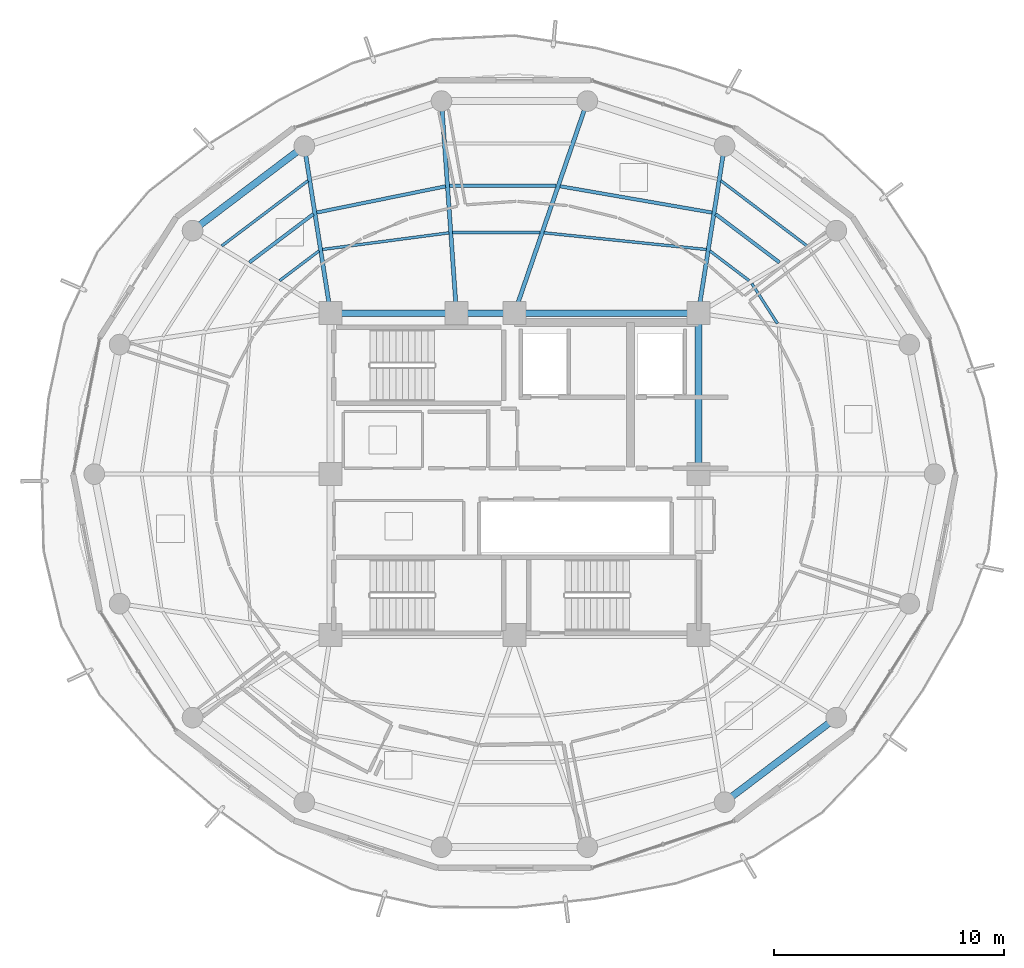
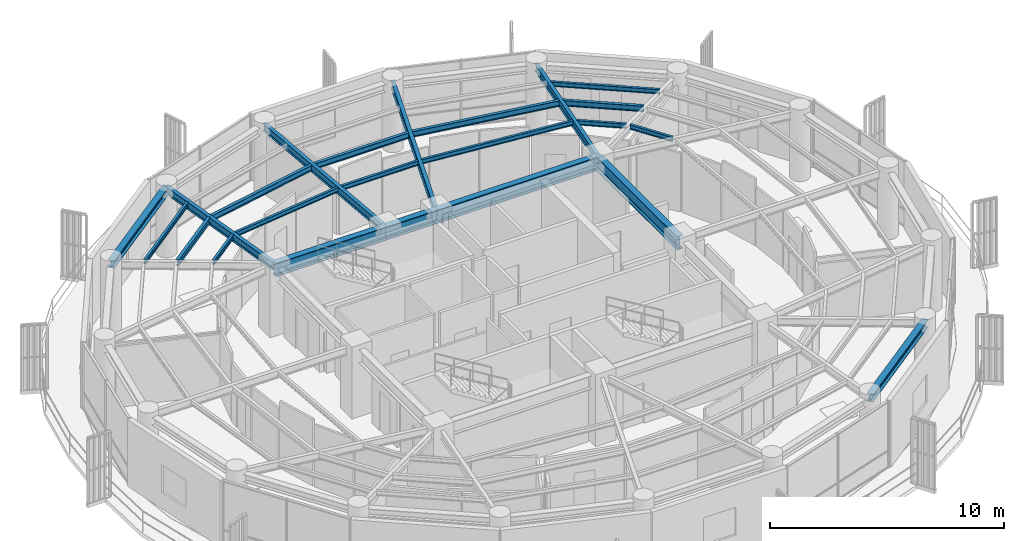
# One storey, part 9 of 23: 23 beams.
"""IFC4 building model written with IfcOpenShell, lengths in metres."""

from ifc_helpers import new_model, si_unit, direction, frame, origin, origin_2d, place, context, subcontext, project, spatial, i_section, extrude, material, material_profile, profile_set, type_object, element, save


model = new_model("IFC4")

# Units and contexts
model_context = context("Model", 3, precision=1e-05, world=origin(), true_north=direction((0.0, 1.0)))
body_context = subcontext(model_context, "Body", "Model", "MODEL_VIEW")
ifc_project = project(units=[si_unit("LENGTHUNIT", "METRE"), si_unit("AREAUNIT", "SQUARE_METRE"), si_unit("VOLUMEUNIT", "CUBIC_METRE"), si_unit("PLANEANGLEUNIT", "RADIAN"), si_unit("MASSUNIT", "GRAM", prefix="KILO")], contexts=[model_context])

# Site, building, storey
site_placement = place(None, origin())
site = spatial("IfcSite", under=ifc_project, at=site_placement, CompositionType="ELEMENT")
building_placement = place(site_placement, origin())
building = spatial("IfcBuilding", under=site, at=building_placement, Name="Kelanora Arch Commons", CompositionType="ELEMENT")
storey_placement = place(building_placement, frame((0.0, 0.0, 282.449951171875)))
storey = spatial("IfcBuildingStorey", under=building, at=storey_placement, Name="L72", CompositionType="ELEMENT", Elevation=282.449951171875)

# Beams
ifc_material = material(Name="Steel S355", Category="steel")
ifc_material_profile_1 = material_profile(ifc_material, i_section(OverallWidth=0.300048828125, OverallDepth=0.699951171875, WebThickness=0.01708984375, FlangeThickness=0.031982421875, FilletRadius=0.027099609375, at=origin_2d()), Name="HEB700")
ifc_profile_set_1 = profile_set([ifc_material_profile_1], Name="Steel S355")
beam_type_1 = type_object("IfcBeamType", Name="BM-CORE-HDR", PredefinedType="BEAM", material=ifc_profile_set_1)
beam_1_placement = place(storey_placement, frame((82.0, 58.0, 3.14013671875), z_axis=(0.0, 1.0, 0.0), x_axis=(-1.0, 0.0, 0.0)))
element("IfcBeam", 1, at=beam_1_placement, inside=storey, type_object=beam_type_1, Name="Core Header Beam 04 L72", PredefinedType="BEAM", context=body_context, shape_type="SweptSolid", body=[
    extrude(i_section(OverallWidth=0.300048828125, OverallDepth=0.699951171875, WebThickness=0.01708984375, FlangeThickness=0.031982421875, FilletRadius=0.027099609375, at=origin_2d()), origin(), (0.0, 0.0, 1.0), 7.0),
])
beam_2_placement = place(storey_placement, frame((82.0, 65.0, 3.14013671875), z_axis=(-1.0, 0.0, 0.0), x_axis=(0.0, -1.0, 0.0)))
element("IfcBeam", 2, at=beam_2_placement, inside=storey, type_object=beam_type_1, Name="Core Header Beam 05 L72", PredefinedType="BEAM", context=body_context, shape_type="SweptSolid", body=[
    extrude(i_section(OverallWidth=0.300048828125, OverallDepth=0.699951171875, WebThickness=0.01708984375, FlangeThickness=0.031982421875, FilletRadius=0.027099609375, at=origin_2d()), origin(), (0.0, 0.0, 1.0), 8.0),
])
beam_3_placement = place(storey_placement, frame((74.0, 65.0, 3.14013671875), z_axis=(-1.0, 0.0, 0.0), x_axis=(0.0, -1.0, 0.0)))
element("IfcBeam", 3, at=beam_3_placement, inside=storey, type_object=beam_type_1, Name="Core Header Beam 06 L72", PredefinedType="BEAM", context=body_context, shape_type="SweptSolid", body=[
    extrude(i_section(OverallWidth=0.300048828125, OverallDepth=0.699951171875, WebThickness=0.01708984375, FlangeThickness=0.031982421875, FilletRadius=0.027099609375, at=origin_2d()), origin(), (0.0, 0.0, 1.0), 2.52001953125),
])
beam_4_placement = place(storey_placement, frame((71.47998046875, 65.0, 3.14013671875), z_axis=(-1.0, 0.0, 0.0), x_axis=(0.0, -1.0, 0.0)))
element("IfcBeam", 4, at=beam_4_placement, inside=storey, type_object=beam_type_1, Name="Core Header Beam 07 L72", PredefinedType="BEAM", context=body_context, shape_type="SweptSolid", body=[
    extrude(i_section(OverallWidth=0.300048828125, OverallDepth=0.699951171875, WebThickness=0.01708984375, FlangeThickness=0.031982421875, FilletRadius=0.027099609375, at=origin_2d()), origin(), (0.0, 0.0, 1.0), 5.47998046875),
])
ifc_material_profile_2 = material_profile(ifc_material, i_section(OverallWidth=0.14990234375, OverallDepth=0.300048828125, WebThickness=0.007080078125, FlangeThickness=0.0107421875, FilletRadius=0.014892578125, at=origin_2d()), Name="IPE300")
ifc_profile_set_2 = profile_set([ifc_material_profile_2], Name="Steel S355")
beam_type_2 = type_object("IfcBeamType", Name="BM-JST-01", PredefinedType="JOIST", material=ifc_profile_set_2)
beam_5_placement = place(storey_placement, frame((85.5341796875, 67.20703125, 3.340087890625), z_axis=(-0.797499198801, 0.603320004568, 0.0), x_axis=(-0.603320004568, -0.797499198801, 0.0)))
element("IfcBeam", 5, at=beam_5_placement, inside=storey, type_object=beam_type_2, Name="Secondary Chord Joist BJB-04 L72", PredefinedType="JOIST", context=body_context, shape_type="SweptSolid", body=[
    extrude(i_section(OverallWidth=0.14990234375, OverallDepth=0.300048828125, WebThickness=0.007080078125, FlangeThickness=0.0107421875, FilletRadius=0.014892578125, at=origin_2d()), origin(), (0.0, 0.0, 1.0), 3.489013671875),
])
beam_6_placement = place(storey_placement, frame((82.60009765625, 69.377685546875, 3.340087890625), z_axis=(-0.985321568263, 0.170708544357, 0.0), x_axis=(-0.170708544357, -0.985321568263, 0.0)))
element("IfcBeam", 6, at=beam_6_placement, inside=storey, type_object=beam_type_2, Name="Secondary Chord Joist BJB-06 L72", PredefinedType="JOIST", context=body_context, shape_type="SweptSolid", body=[
    extrude(i_section(OverallWidth=0.14990234375, OverallDepth=0.300048828125, WebThickness=0.007080078125, FlangeThickness=0.0107421875, FilletRadius=0.014892578125, at=origin_2d()), origin(), (0.0, 0.0, 1.0), 6.710205078125),
])
beam_7_placement = place(storey_placement, frame((75.819580078125, 70.537841796875, 3.340087890625), z_axis=(-1.0, 0.0, 0.0), x_axis=(0.0, -1.0, 0.0)))
element("IfcBeam", 7, at=beam_7_placement, inside=storey, type_object=beam_type_2, Name="Secondary Chord Joist BJB-08 L72", PredefinedType="JOIST", context=body_context, shape_type="SweptSolid", body=[
    extrude(i_section(OverallWidth=0.14990234375, OverallDepth=0.300048828125, WebThickness=0.007080078125, FlangeThickness=0.0107421875, FilletRadius=0.014892578125, at=origin_2d()), origin(), (0.0, 0.0, 1.0), 4.647216796875),
])
beam_8_placement = place(storey_placement, frame((71.004150390625, 70.520751953125, 3.340087890625), z_axis=(-0.979913482255, -0.199423086165, 0.0), x_axis=(0.199423086165, -0.979913482255, 0.0)))
element("IfcBeam", 8, at=beam_8_placement, inside=storey, type_object=beam_type_2, Name="Secondary Chord Joist BJB-10 L72", PredefinedType="JOIST", context=body_context, shape_type="SweptSolid", body=[
    extrude(i_section(OverallWidth=0.14990234375, OverallDepth=0.300048828125, WebThickness=0.007080078125, FlangeThickness=0.0107421875, FilletRadius=0.014892578125, at=origin_2d()), origin(), (0.0, 0.0, 1.0), 5.7197265625),
])
beam_9_placement = place(storey_placement, frame((65.248291015625, 69.31201171875, 3.340087890625), z_axis=(-0.797499198801, -0.603320004568, 0.0), x_axis=(0.603320004568, -0.797499198801, 0.0)))
element("IfcBeam", 9, at=beam_9_placement, inside=storey, type_object=beam_type_2, Name="Secondary Chord Joist BJB-12 L72", PredefinedType="JOIST", context=body_context, shape_type="SweptSolid", body=[
    extrude(i_section(OverallWidth=0.14990234375, OverallDepth=0.300048828125, WebThickness=0.007080078125, FlangeThickness=0.0107421875, FilletRadius=0.014892578125, at=origin_2d()), origin(), (0.0, 0.0, 1.0), 3.489013671875),
])
ifc_material_profile_3 = material_profile(ifc_material, i_section(OverallWidth=0.1201171875, OverallDepth=0.239990234375, WebThickness=0.006103515625, FlangeThickness=0.009765625, FilletRadius=0.014892578125, at=origin_2d()), Name="IPE240")
ifc_profile_set_3 = profile_set([ifc_material_profile_3], Name="Steel S355")
beam_type_3 = type_object("IfcBeamType", Name="BM-JST-02", PredefinedType="JOIST", material=ifc_profile_set_3)
beam_10_placement = place(storey_placement, frame((85.441650390625, 64.553466796875, 3.3701171875), z_axis=(-0.539311810315, 0.842106152011, 0.0), x_axis=(-0.842106152011, -0.539311810315, 0.0)))
element("IfcBeam", 10, at=beam_10_placement, inside=storey, type_object=beam_type_3, Name="Secondary Chord Joist BJA-02 L72", PredefinedType="JOIST", context=body_context, shape_type="SweptSolid", body=[
    extrude(i_section(OverallWidth=0.1201171875, OverallDepth=0.239990234375, WebThickness=0.006103515625, FlangeThickness=0.009765625, FilletRadius=0.014892578125, at=origin_2d()), origin(), (0.0, 0.0, 1.0), 2.06640625),
])
beam_11_placement = place(storey_placement, frame((84.21337890625, 66.416748046875, 3.3701171875), z_axis=(-0.797509883882, 0.603305880222, 0.0), x_axis=(-0.603305880222, -0.797509883882, 0.0)))
element("IfcBeam", 11, at=beam_11_placement, inside=storey, type_object=beam_type_3, Name="Secondary Chord Joist BJA-04 L72", PredefinedType="JOIST", context=body_context, shape_type="SweptSolid", body=[
    extrude(i_section(OverallWidth=0.1201171875, OverallDepth=0.239990234375, WebThickness=0.006103515625, FlangeThickness=0.009765625, FilletRadius=0.014892578125, at=origin_2d()), origin(), (0.0, 0.0, 1.0), 2.147216796875),
])
beam_12_placement = place(storey_placement, frame((86.73486328125, 67.92578125, 3.3701171875), z_axis=(-0.79752302984, 0.60328850219, 0.0), x_axis=(-0.60328850219, -0.79752302984, 0.0)))
element("IfcBeam", 12, at=beam_12_placement, inside=storey, type_object=beam_type_3, Name="Secondary Chord Joist BJC-04 L72", PredefinedType="JOIST", context=body_context, shape_type="SweptSolid", body=[
    extrude(i_section(OverallWidth=0.1201171875, OverallDepth=0.239990234375, WebThickness=0.006103515625, FlangeThickness=0.009765625, FilletRadius=0.014892578125, at=origin_2d()), origin(), (0.0, 0.0, 1.0), 4.70849609375),
])
beam_13_placement = place(storey_placement, frame((82.3486328125, 67.772216796875, 3.3701171875), z_axis=(-0.994746545688, 0.102368500239, 0.0), x_axis=(-0.102368500239, -0.994746545688, 0.0)))
element("IfcBeam", 13, at=beam_13_placement, inside=storey, type_object=beam_type_3, Name="Secondary Chord Joist BJA-06 L72", PredefinedType="JOIST", context=body_context, shape_type="SweptSolid", body=[
    extrude(i_section(OverallWidth=0.1201171875, OverallDepth=0.239990234375, WebThickness=0.006103515625, FlangeThickness=0.009765625, FilletRadius=0.014892578125, at=origin_2d()), origin(), (0.0, 0.0, 1.0), 7.09521484375),
])
beam_14_placement = place(storey_placement, frame((75.12109375, 68.507080078125, 3.3701171875), z_axis=(-1.0, 0.0, 0.0), x_axis=(0.0, -1.0, 0.0)))
element("IfcBeam", 14, at=beam_14_placement, inside=storey, type_object=beam_type_3, Name="Secondary Chord Joist BJA-08 L72", PredefinedType="JOIST", context=body_context, shape_type="SweptSolid", body=[
    extrude(i_section(OverallWidth=0.1201171875, OverallDepth=0.239990234375, WebThickness=0.006103515625, FlangeThickness=0.009765625, FilletRadius=0.014892578125, at=origin_2d()), origin(), (0.0, 0.0, 1.0), 3.8046875),
])
beam_15_placement = place(storey_placement, frame((71.147216796875, 68.49609375, 3.3701171875), z_axis=(-0.991489038745, -0.130190191832, 0.0), x_axis=(0.130190191832, -0.991489038745, 0.0)))
element("IfcBeam", 15, at=beam_15_placement, inside=storey, type_object=beam_type_3, Name="Secondary Chord Joist BJA-10 L72", PredefinedType="JOIST", context=body_context, shape_type="SweptSolid", body=[
    extrude(i_section(OverallWidth=0.1201171875, OverallDepth=0.239990234375, WebThickness=0.006103515625, FlangeThickness=0.009765625, FilletRadius=0.014892578125, at=origin_2d()), origin(), (0.0, 0.0, 1.0), 5.543212890625),
])
beam_16_placement = place(storey_placement, frame((65.4990234375, 67.712158203125, 3.3701171875), z_axis=(-0.797509883882, -0.603305880222, 0.0), x_axis=(0.603305880222, -0.797509883882, 0.0)))
element("IfcBeam", 16, at=beam_16_placement, inside=storey, type_object=beam_type_3, Name="Secondary Chord Joist BJA-12 L72", PredefinedType="JOIST", context=body_context, shape_type="SweptSolid", body=[
    extrude(i_section(OverallWidth=0.1201171875, OverallDepth=0.239990234375, WebThickness=0.006103515625, FlangeThickness=0.009765625, FilletRadius=0.014892578125, at=origin_2d()), origin(), (0.0, 0.0, 1.0), 2.147216796875),
])
beam_17_placement = place(storey_placement, frame((65.020263671875, 70.766357421875, 3.3701171875), z_axis=(-0.79752302984, -0.60328850219, 0.0), x_axis=(0.60328850219, -0.79752302984, 0.0)))
element("IfcBeam", 17, at=beam_17_placement, inside=storey, type_object=beam_type_3, Name="Secondary Chord Joist BJC-12 L72", PredefinedType="JOIST", context=body_context, shape_type="SweptSolid", body=[
    extrude(i_section(OverallWidth=0.1201171875, OverallDepth=0.239990234375, WebThickness=0.006103515625, FlangeThickness=0.009765625, FilletRadius=0.014892578125, at=origin_2d()), origin(), (0.0, 0.0, 1.0), 4.70849609375),
])
ifc_material_profile_4 = material_profile(ifc_material, i_section(OverallWidth=0.179931640625, OverallDepth=0.39990234375, WebThickness=0.008544921875, FlangeThickness=0.013427734375, FilletRadius=0.02099609375, at=origin_2d()), Name="IPE400")
ifc_profile_set_4 = profile_set([ifc_material_profile_4], Name="Steel S355")
beam_type_4 = type_object("IfcBeamType", Name="BM-RAD-Z5", PredefinedType="BEAM", material=ifc_profile_set_4)
beam_18_placement = place(storey_placement, frame((82.0, 65.0, 3.2900390625), z_axis=(0.154855424129, 0.987937142544, 0.0), x_axis=(-0.987937142544, 0.154855424129, 0.0)))
element("IfcBeam", 18, at=beam_18_placement, inside=storey, type_object=beam_type_4, Name="Radial Floor Girder BR-06 L72", PredefinedType="BEAM", context=body_context, shape_type="SweptSolid", body=[
    extrude(i_section(OverallWidth=0.179931640625, OverallDepth=0.39990234375, WebThickness=0.008544921875, FlangeThickness=0.013427734375, FilletRadius=0.02099609375, at=origin_2d()), origin(), (0.0, 0.0, 1.0), 7.361083984375),
])
beam_19_placement = place(storey_placement, frame((74.0, 65.0, 3.2900390625), z_axis=(0.325233562807, 0.945633718532, 0.0), x_axis=(-0.945633718532, 0.325233562807, 0.0)))
element("IfcBeam", 19, at=beam_19_placement, inside=storey, type_object=beam_type_4, Name="Radial Floor Girder BR-08 L72", PredefinedType="BEAM", context=body_context, shape_type="SweptSolid", body=[
    extrude(i_section(OverallWidth=0.179931640625, OverallDepth=0.39990234375, WebThickness=0.008544921875, FlangeThickness=0.013427734375, FilletRadius=0.02099609375, at=origin_2d()), origin(), (0.0, 0.0, 1.0), 9.760009765625),
])
beam_20_placement = place(storey_placement, frame((71.47998046875, 65.0, 3.2900390625), z_axis=(-0.070714497892, 0.997496596379, 0.0), x_axis=(-0.997496596379, -0.070714497892, 0.0)))
element("IfcBeam", 20, at=beam_20_placement, inside=storey, type_object=beam_type_4, Name="Radial Floor Girder BR-10 L72", PredefinedType="BEAM", context=body_context, shape_type="SweptSolid", body=[
    extrude(i_section(OverallWidth=0.179931640625, OverallDepth=0.39990234375, WebThickness=0.008544921875, FlangeThickness=0.013427734375, FilletRadius=0.02099609375, at=origin_2d()), origin(), (0.0, 0.0, 1.0), 9.252685546875),
])
beam_21_placement = place(storey_placement, frame((66.0, 65.0, 3.2900390625), z_axis=(-0.154855424129, 0.987937142544, 0.0), x_axis=(-0.987937142544, -0.154855424129, 0.0)))
element("IfcBeam", 21, at=beam_21_placement, inside=storey, type_object=beam_type_4, Name="Radial Floor Girder BR-12 L72", PredefinedType="BEAM", context=body_context, shape_type="SweptSolid", body=[
    extrude(i_section(OverallWidth=0.179931640625, OverallDepth=0.39990234375, WebThickness=0.008544921875, FlangeThickness=0.013427734375, FilletRadius=0.02099609375, at=origin_2d()), origin(), (0.0, 0.0, 1.0), 7.361083984375),
])
ifc_material_profile_5 = material_profile(ifc_material, i_section(OverallWidth=0.300048828125, OverallDepth=0.39990234375, WebThickness=0.013427734375, FlangeThickness=0.02392578125, FilletRadius=0.027099609375, at=origin_2d()), Name="HEB400")
ifc_profile_set_5 = profile_set([ifc_material_profile_5], Name="Steel S355")
beam_type_5 = type_object("IfcBeamType", Name="BM-SPN-Z4", PredefinedType="SPANDREL", material=ifc_profile_set_5)
for number, where, z_axis, x_axis, name in (
    (22, (64.860107421875, 72.272216796875, 3.2900390625), (-0.797509460967, -0.603306439273, 0.0), (0.603306439273, -0.797509460967, 0.0), "Perimeter Spandrel Beam BS-12 L72"),
    (23, (83.139892578125, 43.727783203125, 3.2900390625), (0.797509460967, 0.603306439273, 0.0), (-0.603306439273, 0.797509460967, 0.0), "Perimeter Spandrel Beam BS-30 L72"),
):
    element("IfcBeam", number, at=place(storey_placement, frame(where, z_axis=z_axis, x_axis=x_axis)), inside=storey, type_object=beam_type_5, Name=name, PredefinedType="SPANDREL", context=body_context, shape_type="SweptSolid", body=[
        extrude(i_section(OverallWidth=0.300048828125, OverallDepth=0.39990234375, WebThickness=0.013427734375, FlangeThickness=0.02392578125, FilletRadius=0.027099609375, at=origin_2d()), origin(), (0.0, 0.0, 1.0), 6.098388671875),
    ])

save(model, "model.ifc")
